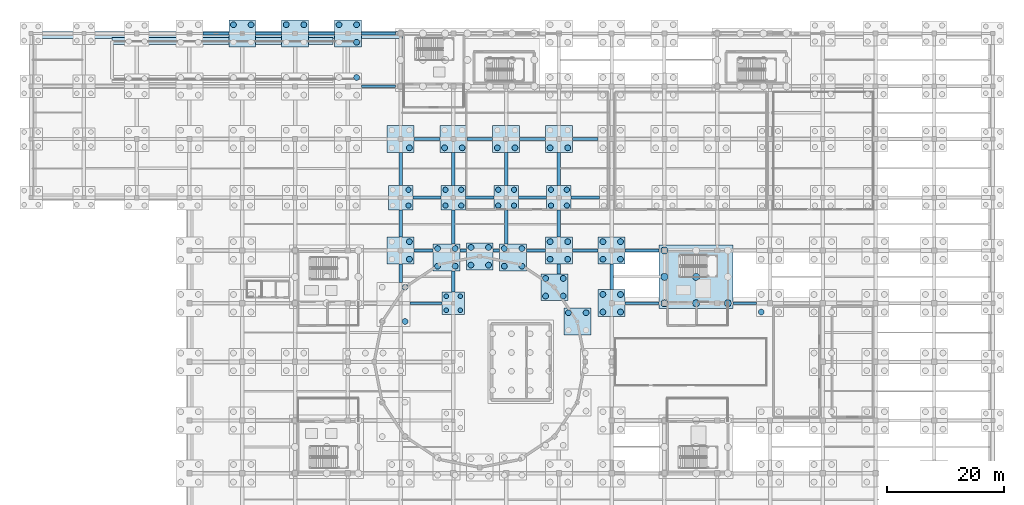
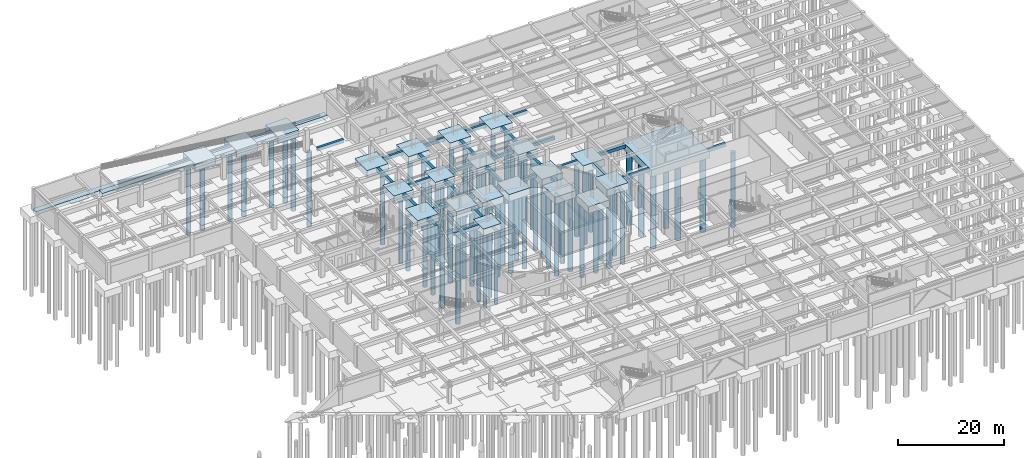
# One storey, part 7 of 62: 74 piles, 58 footings.
"""IFC4 building model written with IfcOpenShell, lengths in metres."""

import ifcopenshell
import ifcopenshell.guid

model = None  # the IFC model being written
_history = None  # IfcOwnerHistory: only IFC2X3 demands one
_inside = {}  # id of a spatial element -> (the spatial element, [elements in it])
_under = {}  # id of a project, library or spatial element -> (it, [spatial elements below it])
_declared = {}  # id of a project -> (the project, [libraries it declares])
_typed = {}  # id of a type object -> (the type object, [elements of that type])
_made_of = {}  # id of a material, layer set ... -> (it, [elements and type objects made of it])


def new_model(schema):
    """Start an empty IFC model of exactly this schema.

    Asked for "IFC4X3", IfcOpenShell would pick the latest addendum, in which some entities
    have other attributes; the version numbers below select the first issue.
    IFC2X3 requires an IfcOwnerHistory on every rooted entity: one is made here for all.
    """
    global model, _history
    if schema == "IFC4X3":
        model = ifcopenshell.file(schema_version=(4, 3, 0, 0))
    else:
        model = ifcopenshell.file(schema=schema)
    _inside.clear()
    _under.clear()
    _declared.clear()
    _typed.clear()
    _made_of.clear()
    _history = None
    if model.schema == "IFC2X3":
        org = make("IfcOrganization", Name="unknown")
        user = make(
            "IfcPersonAndOrganization",
            ThePerson=make("IfcPerson", FamilyName="unknown"),
            TheOrganization=org,
        )
        app = make(
            "IfcApplication",
            ApplicationDeveloper=org,
            Version="unknown",
            ApplicationFullName="unknown",
            ApplicationIdentifier="unknown",
        )
        _history = make(
            "IfcOwnerHistory",
            OwningUser=user,
            OwningApplication=app,
            ChangeAction="ADDED",
            CreationDate=0,
        )
    return model


def make(cls, **values):
    """One entity of the class cls with the attributes given. An attribute that is None is left unset."""
    return model.create_entity(
        cls, **{name: value for name, value in values.items() if value is not None}
    )


def rooted(cls, **values):
    """An entity with a GlobalId (a new one), such as an element, a storey or a relation."""
    return make(cls, GlobalId=ifcopenshell.guid.new(), OwnerHistory=_history, **values)


def si_unit(unit_type, name, prefix=None):
    """IfcSIUnit, for example si_unit("LENGTHUNIT", "METRE", prefix="MILLI")."""
    return make("IfcSIUnit", UnitType=unit_type, Prefix=prefix, Name=name)


def assignment(units):
    """IfcUnitAssignment: the units of a project."""
    return None if units is None else make("IfcUnitAssignment", Units=units)


def point(xyz):
    """IfcCartesianPoint."""
    return None if xyz is None else make("IfcCartesianPoint", Coordinates=xyz)


def direction(xyz):
    """IfcDirection."""
    return None if xyz is None else make("IfcDirection", DirectionRatios=xyz)


def frame(location, z_axis=None, x_axis=None):
    """IfcAxis2Placement3D, a coordinate frame: its origin and axes. An axis left out is left unset."""
    return make(
        "IfcAxis2Placement3D",
        Location=point(location),
        Axis=direction(z_axis),
        RefDirection=direction(x_axis),
    )


def frame_2d(location, x_axis=None):
    """IfcAxis2Placement2D, a coordinate frame in the plane: its origin and x axis."""
    return make(
        "IfcAxis2Placement2D", Location=point(location), RefDirection=direction(x_axis)
    )


def origin():
    """The frame at (0, 0, 0) with its axes left unset."""
    return frame((0.0, 0.0, 0.0))


def origin_2d():
    """The frame at (0, 0) in the plane with its x axis left unset."""
    return frame_2d((0.0, 0.0))


def place(relative_to, where):
    """IfcLocalPlacement: puts the frame where relative to a parent placement (None: the world)."""
    return make(
        "IfcLocalPlacement", PlacementRelTo=relative_to, RelativePlacement=where
    )


def context(
    kind, dimensions, precision=None, world=None, true_north=None, identifier=None
):
    """IfcGeometricRepresentationContext, for example the 3D "Model" context."""
    return make(
        "IfcGeometricRepresentationContext",
        ContextIdentifier=identifier,
        ContextType=kind,
        CoordinateSpaceDimension=dimensions,
        Precision=precision,
        WorldCoordinateSystem=world,
        TrueNorth=true_north,
    )


def subcontext(parent, identifier, kind, view, scale=None):
    """IfcGeometricRepresentationSubContext, for example "Body" below "Model"."""
    return make(
        "IfcGeometricRepresentationSubContext",
        ContextIdentifier=identifier,
        ContextType=kind,
        ParentContext=parent,
        TargetScale=scale,
        TargetView=view,
    )


def project(units=None, contexts=None):
    """IfcProject with its units and contexts."""
    return rooted(
        "IfcProject",
        Name="project",
        RepresentationContexts=contexts,
        UnitsInContext=assignment(units),
    )


def spatial(cls, under=None, at=None, **own):
    """A site, building, storey or space (cls), placed at a placement, below another one or the project."""
    s = rooted(cls, ObjectPlacement=at, **own)
    if under is not None:
        _under.setdefault(under.id(), (under, []))[1].append(s)
    return s


def polyline(points):
    """IfcPolyline through the points."""
    return make("IfcPolyline", Points=[point(p) for p in points])


def profile(cls, at=None, kind="AREA", **sizes):
    """A parametric profile (cls). Its sizes go by their IFC names, for example OverallWidth=200.0."""
    return make(cls, ProfileType=kind, Position=at, **sizes)


def rectangle(**sizes):
    """IfcRectangleProfileDef."""
    return profile("IfcRectangleProfileDef", **sizes)


def circle(**sizes):
    """IfcCircleProfileDef."""
    return profile("IfcCircleProfileDef", **sizes)


def outline(outer, holes=None, kind="AREA"):
    """IfcArbitraryClosedProfileDef: a profile drawn as a closed curve; with holes, ...WithVoids."""
    if holes is None:
        return make("IfcArbitraryClosedProfileDef", ProfileType=kind, OuterCurve=outer)
    return make(
        "IfcArbitraryProfileDefWithVoids",
        ProfileType=kind,
        OuterCurve=outer,
        InnerCurves=holes,
    )


def extrude(swept, where, along, depth):
    """IfcExtrudedAreaSolid: the profile swept, set in the frame where, extruded along a direction by depth."""
    return make(
        "IfcExtrudedAreaSolid",
        SweptArea=swept,
        Position=where,
        ExtrudedDirection=direction(along),
        Depth=depth,
    )


def shape(context_of_items, identifier, shape_type, items):
    """IfcShapeRepresentation: the items that make up one representation, for example the "Body"."""
    return make(
        "IfcShapeRepresentation",
        ContextOfItems=context_of_items,
        RepresentationIdentifier=identifier,
        RepresentationType=shape_type,
        Items=items,
    )


def material(Name=None, Category=None):
    """IfcMaterial."""
    return make("IfcMaterial", Name=Name, Category=Category)


def material_profile(
    of_material, cross_section, Name=None, Category=None, Priority=None
):
    """IfcMaterialProfile: a cross section and its material."""
    return make(
        "IfcMaterialProfile",
        Name=Name,
        Material=of_material,
        Profile=cross_section,
        Priority=Priority,
        Category=Category,
    )


def profile_set(profiles, Name=None, composite=None):
    """IfcMaterialProfileSet."""
    return make(
        "IfcMaterialProfileSet",
        Name=Name,
        MaterialProfiles=profiles,
        CompositeProfile=composite,
    )


def made_of(thing, what):
    """Note that an element or type object is made of a material, layer set ...; save() writes the relation."""
    if what is not None:
        _made_of.setdefault(what.id(), (what, []))[1].append(thing)
    return thing


def type_object(cls, material=None, **own):
    """A type object (cls), such as IfcWallType, which elements share."""
    return made_of(rooted(cls, **own), material)


def element(
    cls,
    number,
    at=None,
    inside=None,
    cuts=None,
    type_object=None,
    material=None,
    context=None,
    identifier="Body",
    shape_type=None,
    held_by="IfcProductDefinitionShape",
    body=None,
    shapes=None,
    **own,
):
    """One element of the class cls, such as IfcWall. Its Tag is "e" and its number.

    at: its placement. inside: the storey or other place that contains it. cuts: it is an
    opening in that element (IfcRelVoidsElement). A single representation is given by context,
    identifier, shape_type and body (its items); several are given by shapes. held_by: the class
    of the entity that holds the representations. save() writes the other relations.
    """
    e = rooted(cls, Tag="e%d" % number, ObjectPlacement=at, **own)
    if body is not None:
        shapes = [shape(context, identifier, shape_type, body)]
    if shapes is not None:
        e.Representation = make(held_by, Representations=shapes)
    if inside is not None:
        _inside.setdefault(inside.id(), (inside, []))[1].append(e)
    if cuts is not None:
        rooted(
            "IfcRelVoidsElement", RelatingBuildingElement=cuts, RelatedOpeningElement=e
        )
    if type_object is not None:
        _typed.setdefault(type_object.id(), (type_object, []))[1].append(e)
    return made_of(e, material)


def aggregate(whole, parts):
    """IfcRelAggregates: a whole, such as a stair, and the parts it consists of."""
    return rooted("IfcRelAggregates", RelatingObject=whole, RelatedObjects=parts)


def save(model, path):
    """Write the relations noted so far, then the file.

    IfcRelAggregates (storeys below a building ...), IfcRelContainedInSpatialStructure (elements
    in a storey), IfcRelDefinesByType, IfcRelAssociatesMaterial and IfcRelDeclares: one each for
    every whole, place, type object, material and project.
    """
    for whole, parts in _under.values():
        aggregate(whole, parts)
    for where, things in _inside.values():
        rooted(
            "IfcRelContainedInSpatialStructure",
            RelatedElements=things,
            RelatingStructure=where,
        )
    for kind, things in _typed.values():
        rooted("IfcRelDefinesByType", RelatedObjects=things, RelatingType=kind)
    for what, things in _made_of.values():
        rooted("IfcRelAssociatesMaterial", RelatedObjects=things, RelatingMaterial=what)
    for by, libraries in _declared.values():
        rooted("IfcRelDeclares", RelatingContext=by, RelatedDefinitions=libraries)
    model.write(path)


model = new_model("IFC4")

# Units and contexts
model_context = context("Model", 3, precision=1e-05, world=origin(), true_north=direction((0.0, 1.0)))
body_context = subcontext(model_context, "Body", "Model", "MODEL_VIEW")
ifc_project = project(units=[si_unit("LENGTHUNIT", "METRE"), si_unit("AREAUNIT", "SQUARE_METRE"), si_unit("VOLUMEUNIT", "CUBIC_METRE"), si_unit("PLANEANGLEUNIT", "RADIAN"), si_unit("MASSUNIT", "GRAM", prefix="KILO")], contexts=[model_context])

# Site, building, storey
site_placement = place(None, origin())
site = spatial("IfcSite", under=ifc_project, at=site_placement, CompositionType="ELEMENT")
building_placement = place(site_placement, origin())
building = spatial("IfcBuilding", under=site, at=building_placement, Name="Miravela Opera House", CompositionType="ELEMENT")
storey_placement = place(building_placement, frame((0.0, 0.0, -5.10009765625)))
storey = spatial("IfcBuildingStorey", under=building, at=storey_placement, Name="B01", CompositionType="ELEMENT", Elevation=-5.10009765625)

# Footings
ifc_material = material(Name="Concrete C35/45", Category="concrete")
footing_type_1 = type_object("IfcFootingType", Name="STR-GB-500X750", PredefinedType="FOOTING_BEAM", material=ifc_material)
footing_1_placement = place(storey_placement, frame((0.0, 0.0, -0.75)))
element("IfcFooting", 1, at=footing_1_placement, inside=storey, type_object=footing_type_1, Name="Seismic Grade Tie Beam GB-X-280", PredefinedType="FOOTING_BEAM", context=body_context, shape_type="SweptSolid", body=[
    extrude(outline(polyline([(64.62109375, 65.75), (70.10009765625, 65.75), (70.10009765625, 66.25), (64.62109375, 66.25), (64.62109375, 65.75)])), origin(), (0.0, 0.0, 1.0), 0.75),
])
footing_2_placement = place(storey_placement, frame((0.0, 0.0, -0.75)))
element("IfcFooting", 2, at=footing_2_placement, inside=storey, type_object=footing_type_1, Name="Seismic Grade Tie Beam GB-X-281", PredefinedType="FOOTING_BEAM", context=body_context, shape_type="SweptSolid", body=[
    extrude(outline(polyline([(101.300048828125, 65.75), (107.10009765625, 65.75), (107.10009765625, 66.25), (101.300048828125, 66.25), (101.300048828125, 65.75)])), origin(), (0.0, 0.0, 1.0), 0.75),
])
footing_3_placement = place(storey_placement, frame((0.0, 0.0, -0.75)))
element("IfcFooting", 3, at=footing_3_placement, inside=storey, type_object=footing_type_1, Name="Seismic Grade Tie Beam GB-X-282", PredefinedType="FOOTING_BEAM", context=body_context, shape_type="SweptSolid", body=[
    extrude(outline(polyline([(119.699951171875, 65.75), (123.699951171875, 65.75), (123.699951171875, 66.25), (119.699951171875, 66.25), (119.699951171875, 65.75)])), origin(), (0.0, 0.0, 1.0), 0.75),
])
footing_4_placement = place(storey_placement, frame((0.0, 0.0, -0.75)))
element("IfcFooting", 4, at=footing_4_placement, inside=storey, type_object=footing_type_1, Name="Seismic Grade Tie Beam GB-X-290", PredefinedType="FOOTING_BEAM", context=body_context, shape_type="SweptSolid", body=[
    extrude(outline(polyline([(65.300048828125, 74.75), (68.505859375, 74.75), (68.505859375, 75.25), (65.300048828125, 75.25), (65.300048828125, 74.75)])), origin(), (0.0, 0.0, 1.0), 0.75),
])
footing_5_placement = place(storey_placement, frame((0.0, 0.0, -0.75)))
element("IfcFooting", 5, at=footing_5_placement, inside=storey, type_object=footing_type_1, Name="Seismic Grade Tie Beam GB-X-291", PredefinedType="FOOTING_BEAM", context=body_context, shape_type="SweptSolid", body=[
    extrude(outline(polyline([(73.105712890625, 74.75), (74.199951171875, 74.75), (74.199951171875, 75.25), (73.105712890625, 75.25), (73.105712890625, 74.75)])), origin(), (0.0, 0.0, 1.0), 0.75),
])
footing_6_placement = place(storey_placement, frame((0.0, 0.0, -0.75)))
element("IfcFooting", 6, at=footing_6_placement, inside=storey, type_object=footing_type_1, Name="Seismic Grade Tie Beam GB-X-292", PredefinedType="FOOTING_BEAM", context=body_context, shape_type="SweptSolid", body=[
    extrude(outline(polyline([(78.800048828125, 74.75), (79.894287109375, 74.75), (79.894287109375, 75.25), (78.800048828125, 75.25), (78.800048828125, 74.75)])), origin(), (0.0, 0.0, 1.0), 0.75),
])
footing_7_placement = place(storey_placement, frame((0.0, 0.0, -0.75)))
element("IfcFooting", 7, at=footing_7_placement, inside=storey, type_object=footing_type_1, Name="Seismic Grade Tie Beam GB-X-293", PredefinedType="FOOTING_BEAM", context=body_context, shape_type="SweptSolid", body=[
    extrude(outline(polyline([(84.494140625, 74.75), (87.699951171875, 74.75), (87.699951171875, 75.25), (84.494140625, 75.25), (84.494140625, 74.75)])), origin(), (0.0, 0.0, 1.0), 0.75),
])
footing_8_placement = place(storey_placement, frame((0.0, 0.0, -0.75)))
element("IfcFooting", 8, at=footing_8_placement, inside=storey, type_object=footing_type_1, Name="Seismic Grade Tie Beam GB-X-294", PredefinedType="FOOTING_BEAM", context=body_context, shape_type="SweptSolid", body=[
    extrude(outline(polyline([(92.300048828125, 74.75), (96.699951171875, 74.75), (96.699951171875, 75.25), (92.300048828125, 75.25), (92.300048828125, 74.75)])), origin(), (0.0, 0.0, 1.0), 0.75),
])
footing_9_placement = place(storey_placement, frame((0.0, 0.0, -0.75)))
element("IfcFooting", 9, at=footing_9_placement, inside=storey, type_object=footing_type_1, Name="Seismic Grade Tie Beam GB-X-295", PredefinedType="FOOTING_BEAM", context=body_context, shape_type="SweptSolid", body=[
    extrude(outline(polyline([(101.300048828125, 74.75), (107.10009765625, 74.75), (107.10009765625, 75.25), (101.300048828125, 75.25), (101.300048828125, 74.75)])), origin(), (0.0, 0.0, 1.0), 0.75),
])
footing_10_placement = place(storey_placement, frame((0.0, 0.0, -0.75)))
element("IfcFooting", 10, at=footing_10_placement, inside=storey, type_object=footing_type_1, Name="Seismic Grade Tie Beam GB-X-308", PredefinedType="FOOTING_BEAM", context=body_context, shape_type="SweptSolid", body=[
    extrude(outline(polyline([(65.10009765625, 83.75), (69.89990234375, 83.75), (69.89990234375, 84.25), (65.10009765625, 84.25), (65.10009765625, 83.75)])), origin(), (0.0, 0.0, 1.0), 0.75),
])
footing_11_placement = place(storey_placement, frame((0.0, 0.0, -0.75)))
element("IfcFooting", 11, at=footing_11_placement, inside=storey, type_object=footing_type_1, Name="Seismic Grade Tie Beam GB-X-309", PredefinedType="FOOTING_BEAM", context=body_context, shape_type="SweptSolid", body=[
    extrude(outline(polyline([(74.10009765625, 83.75), (78.89990234375, 83.75), (78.89990234375, 84.25), (74.10009765625, 84.25), (74.10009765625, 83.75)])), origin(), (0.0, 0.0, 1.0), 0.75),
])
footing_12_placement = place(storey_placement, frame((0.0, 0.0, -0.75)))
element("IfcFooting", 12, at=footing_12_placement, inside=storey, type_object=footing_type_1, Name="Seismic Grade Tie Beam GB-X-310", PredefinedType="FOOTING_BEAM", context=body_context, shape_type="SweptSolid", body=[
    extrude(outline(polyline([(83.10009765625, 83.75), (87.89990234375, 83.75), (87.89990234375, 84.25), (83.10009765625, 84.25), (83.10009765625, 83.75)])), origin(), (0.0, 0.0, 1.0), 0.75),
])
footing_13_placement = place(storey_placement, frame((0.0, 0.0, -0.75)))
element("IfcFooting", 13, at=footing_13_placement, inside=storey, type_object=footing_type_1, Name="Seismic Grade Tie Beam GB-X-311", PredefinedType="FOOTING_BEAM", context=body_context, shape_type="SweptSolid", body=[
    extrude(outline(polyline([(92.10009765625, 83.75), (96.89990234375, 83.75), (96.89990234375, 84.25), (92.10009765625, 84.25), (92.10009765625, 83.75)])), origin(), (0.0, 0.0, 1.0), 0.75),
])
footing_14_placement = place(storey_placement, frame((0.0, 0.0, -0.75)))
element("IfcFooting", 14, at=footing_14_placement, inside=storey, type_object=footing_type_1, Name="Seismic Grade Tie Beam GB-X-326", PredefinedType="FOOTING_BEAM", context=body_context, shape_type="SweptSolid", body=[
    extrude(outline(polyline([(65.300048828125, 93.75), (69.699951171875, 93.75), (69.699951171875, 94.25), (65.300048828125, 94.25), (65.300048828125, 93.75)])), origin(), (0.0, 0.0, 1.0), 0.75),
])
footing_15_placement = place(storey_placement, frame((0.0, 0.0, -0.75)))
element("IfcFooting", 15, at=footing_15_placement, inside=storey, type_object=footing_type_1, Name="Seismic Grade Tie Beam GB-X-327", PredefinedType="FOOTING_BEAM", context=body_context, shape_type="SweptSolid", body=[
    extrude(outline(polyline([(74.300048828125, 93.75), (78.699951171875, 93.75), (78.699951171875, 94.25), (74.300048828125, 94.25), (74.300048828125, 93.75)])), origin(), (0.0, 0.0, 1.0), 0.75),
])
footing_16_placement = place(storey_placement, frame((0.0, 0.0, -0.75)))
element("IfcFooting", 16, at=footing_16_placement, inside=storey, type_object=footing_type_1, Name="Seismic Grade Tie Beam GB-X-328", PredefinedType="FOOTING_BEAM", context=body_context, shape_type="SweptSolid", body=[
    extrude(outline(polyline([(83.300048828125, 93.75), (87.699951171875, 93.75), (87.699951171875, 94.25), (83.300048828125, 94.25), (83.300048828125, 93.75)])), origin(), (0.0, 0.0, 1.0), 0.75),
])
footing_17_placement = place(storey_placement, frame((0.0, 0.0, -0.75)))
element("IfcFooting", 17, at=footing_17_placement, inside=storey, type_object=footing_type_1, Name="Seismic Grade Tie Beam GB-X-329", PredefinedType="FOOTING_BEAM", context=body_context, shape_type="SweptSolid", body=[
    extrude(outline(polyline([(92.300048828125, 93.75), (96.699951171875, 93.75), (96.699951171875, 94.25), (92.300048828125, 94.25), (92.300048828125, 93.75)])), origin(), (0.0, 0.0, 1.0), 0.75),
])
footing_18_placement = place(storey_placement, frame((0.0, 0.0, -0.75)))
element("IfcFooting", 18, at=footing_18_placement, inside=storey, type_object=footing_type_1, Name="Seismic Grade Tie Beam GB-X-343", PredefinedType="FOOTING_BEAM", context=body_context, shape_type="SweptSolid", body=[
    extrude(outline(polyline([(56.300048828125, 102.75), (62.10009765625, 102.75), (62.10009765625, 103.25), (56.300048828125, 103.25), (56.300048828125, 102.75)])), origin(), (0.0, 0.0, 1.0), 0.75),
])
footing_19_placement = place(storey_placement, frame((0.0, 0.0, -0.75)))
element("IfcFooting", 19, at=footing_19_placement, inside=storey, type_object=footing_type_1, Name="Seismic Grade Tie Beam GB-X-355", PredefinedType="FOOTING_BEAM", context=body_context, shape_type="SweptSolid", body=[
    extrude(outline(polyline([(29.300048828125, 111.75), (33.699951171875, 111.75), (33.699951171875, 112.25), (29.300048828125, 112.25), (29.300048828125, 111.75)])), origin(), (0.0, 0.0, 1.0), 0.75),
])
footing_20_placement = place(storey_placement, frame((0.0, 0.0, -0.75)))
element("IfcFooting", 20, at=footing_20_placement, inside=storey, type_object=footing_type_1, Name="Seismic Grade Tie Beam GB-X-356", PredefinedType="FOOTING_BEAM", context=body_context, shape_type="SweptSolid", body=[
    extrude(outline(polyline([(38.300048828125, 111.75), (42.699951171875, 111.75), (42.699951171875, 112.25), (38.300048828125, 112.25), (38.300048828125, 111.75)])), origin(), (0.0, 0.0, 1.0), 0.75),
])
footing_21_placement = place(storey_placement, frame((0.0, 0.0, -0.75)))
element("IfcFooting", 21, at=footing_21_placement, inside=storey, type_object=footing_type_1, Name="Seismic Grade Tie Beam GB-X-357", PredefinedType="FOOTING_BEAM", context=body_context, shape_type="SweptSolid", body=[
    extrude(outline(polyline([(47.300048828125, 111.75), (51.699951171875, 111.75), (51.699951171875, 112.25), (47.300048828125, 112.25), (47.300048828125, 111.75)])), origin(), (0.0, 0.0, 1.0), 0.75),
])
footing_22_placement = place(storey_placement, frame((0.0, 0.0, -0.75)))
element("IfcFooting", 22, at=footing_22_placement, inside=storey, type_object=footing_type_1, Name="Seismic Grade Tie Beam GB-X-358", PredefinedType="FOOTING_BEAM", context=body_context, shape_type="SweptSolid", body=[
    extrude(outline(polyline([(56.300048828125, 111.75), (62.10009765625, 111.75), (62.10009765625, 112.25), (56.300048828125, 112.25), (56.300048828125, 111.75)])), origin(), (0.0, 0.0, 1.0), 0.75),
])
footing_type_2 = type_object("IfcFootingType", Name="STR-GB-600X800", PredefinedType="FOOTING_BEAM", material=ifc_material)
footing_23_placement = place(storey_placement, frame((0.0, 0.0, -0.7998046875)))
element("IfcFooting", 23, at=footing_23_placement, inside=storey, type_object=footing_type_2, Name="Seismic Grade Tie Beam GB-Y-067", PredefinedType="FOOTING_BEAM", context=body_context, shape_type="SweptSolid", body=[
    extrude(outline(polyline([(62.699951171875, 69.55810546875), (63.300048828125, 69.55810546875), (63.300048828125, 72.699951171875), (62.699951171875, 72.699951171875), (62.699951171875, 69.55810546875)])), origin(), (0.0, 0.0, 1.0), 0.7998046875),
])
footing_24_placement = place(storey_placement, frame((0.0, 0.0, -0.7998046875)))
element("IfcFooting", 24, at=footing_24_placement, inside=storey, type_object=footing_type_2, Name="Seismic Grade Tie Beam GB-Y-068", PredefinedType="FOOTING_BEAM", context=body_context, shape_type="SweptSolid", body=[
    extrude(outline(polyline([(62.699951171875, 77.300048828125), (63.300048828125, 77.300048828125), (63.300048828125, 81.89990234375), (62.699951171875, 81.89990234375), (62.699951171875, 77.300048828125)])), origin(), (0.0, 0.0, 1.0), 0.7998046875),
])
footing_25_placement = place(storey_placement, frame((0.0, 0.0, -0.7998046875)))
element("IfcFooting", 25, at=footing_25_placement, inside=storey, type_object=footing_type_2, Name="Seismic Grade Tie Beam GB-Y-069", PredefinedType="FOOTING_BEAM", context=body_context, shape_type="SweptSolid", body=[
    extrude(outline(polyline([(62.699951171875, 86.10009765625), (63.300048828125, 86.10009765625), (63.300048828125, 91.699951171875), (62.699951171875, 91.699951171875), (62.699951171875, 86.10009765625)])), origin(), (0.0, 0.0, 1.0), 0.7998046875),
])
footing_26_placement = place(storey_placement, frame((0.0, 0.0, -0.7998046875)))
element("IfcFooting", 26, at=footing_26_placement, inside=storey, type_object=footing_type_2, Name="Seismic Grade Tie Beam GB-Y-077", PredefinedType="FOOTING_BEAM", context=body_context, shape_type="SweptSolid", body=[
    extrude(outline(polyline([(71.699951171875, 67.89990234375), (72.300048828125, 67.89990234375), (72.300048828125, 71.514892578125), (71.699951171875, 71.514892578125), (71.699951171875, 67.89990234375)])), origin(), (0.0, 0.0, 1.0), 0.7998046875),
])
footing_27_placement = place(storey_placement, frame((0.0, 0.0, -0.7998046875)))
element("IfcFooting", 27, at=footing_27_placement, inside=storey, type_object=footing_type_2, Name="Seismic Grade Tie Beam GB-Y-078", PredefinedType="FOOTING_BEAM", context=body_context, shape_type="SweptSolid", body=[
    extrude(outline(polyline([(71.699951171875, 76.114990234375), (72.300048828125, 76.114990234375), (72.300048828125, 81.89990234375), (71.699951171875, 81.89990234375), (71.699951171875, 76.114990234375)])), origin(), (0.0, 0.0, 1.0), 0.7998046875),
])
footing_28_placement = place(storey_placement, frame((0.0, 0.0, -0.7998046875)))
element("IfcFooting", 28, at=footing_28_placement, inside=storey, type_object=footing_type_2, Name="Seismic Grade Tie Beam GB-Y-079", PredefinedType="FOOTING_BEAM", context=body_context, shape_type="SweptSolid", body=[
    extrude(outline(polyline([(71.699951171875, 86.10009765625), (72.300048828125, 86.10009765625), (72.300048828125, 91.699951171875), (71.699951171875, 91.699951171875), (71.699951171875, 86.10009765625)])), origin(), (0.0, 0.0, 1.0), 0.7998046875),
])
footing_29_placement = place(storey_placement, frame((0.0, 0.0, -0.7998046875)))
element("IfcFooting", 29, at=footing_29_placement, inside=storey, type_object=footing_type_2, Name="Seismic Grade Tie Beam GB-Y-085", PredefinedType="FOOTING_BEAM", context=body_context, shape_type="SweptSolid", body=[
    extrude(outline(polyline([(80.699951171875, 76.114990234375), (81.300048828125, 76.114990234375), (81.300048828125, 81.89990234375), (80.699951171875, 81.89990234375), (80.699951171875, 76.114990234375)])), origin(), (0.0, 0.0, 1.0), 0.7998046875),
])
footing_30_placement = place(storey_placement, frame((0.0, 0.0, -0.7998046875)))
element("IfcFooting", 30, at=footing_30_placement, inside=storey, type_object=footing_type_2, Name="Seismic Grade Tie Beam GB-Y-086", PredefinedType="FOOTING_BEAM", context=body_context, shape_type="SweptSolid", body=[
    extrude(outline(polyline([(80.699951171875, 86.10009765625), (81.300048828125, 86.10009765625), (81.300048828125, 91.699951171875), (80.699951171875, 91.699951171875), (80.699951171875, 86.10009765625)])), origin(), (0.0, 0.0, 1.0), 0.7998046875),
])
footing_31_placement = place(storey_placement, frame((0.0, 0.0, -0.7998046875)))
element("IfcFooting", 31, at=footing_31_placement, inside=storey, type_object=footing_type_2, Name="Seismic Grade Tie Beam GB-Y-093", PredefinedType="FOOTING_BEAM", context=body_context, shape_type="SweptSolid", body=[
    extrude(outline(polyline([(89.699951171875, 71.02783203125), (90.300048828125, 71.02783203125), (90.300048828125, 72.699951171875), (89.699951171875, 72.699951171875), (89.699951171875, 71.02783203125)])), origin(), (0.0, 0.0, 1.0), 0.7998046875),
])
footing_32_placement = place(storey_placement, frame((0.0, 0.0, -0.7998046875)))
element("IfcFooting", 32, at=footing_32_placement, inside=storey, type_object=footing_type_2, Name="Seismic Grade Tie Beam GB-Y-094", PredefinedType="FOOTING_BEAM", context=body_context, shape_type="SweptSolid", body=[
    extrude(outline(polyline([(89.699951171875, 77.300048828125), (90.300048828125, 77.300048828125), (90.300048828125, 81.89990234375), (89.699951171875, 81.89990234375), (89.699951171875, 77.300048828125)])), origin(), (0.0, 0.0, 1.0), 0.7998046875),
])
footing_33_placement = place(storey_placement, frame((0.0, 0.0, -0.7998046875)))
element("IfcFooting", 33, at=footing_33_placement, inside=storey, type_object=footing_type_2, Name="Seismic Grade Tie Beam GB-Y-095", PredefinedType="FOOTING_BEAM", context=body_context, shape_type="SweptSolid", body=[
    extrude(outline(polyline([(89.699951171875, 86.10009765625), (90.300048828125, 86.10009765625), (90.300048828125, 91.699951171875), (89.699951171875, 91.699951171875), (89.699951171875, 86.10009765625)])), origin(), (0.0, 0.0, 1.0), 0.7998046875),
])
footing_34_placement = place(storey_placement, frame((0.0, 0.0, -0.7998046875)))
element("IfcFooting", 34, at=footing_34_placement, inside=storey, type_object=footing_type_2, Name="Seismic Grade Tie Beam GB-Y-105", PredefinedType="FOOTING_BEAM", context=body_context, shape_type="SweptSolid", body=[
    extrude(outline(polyline([(98.699951171875, 68.300048828125), (99.300048828125, 68.300048828125), (99.300048828125, 72.699951171875), (98.699951171875, 72.699951171875), (98.699951171875, 68.300048828125)])), origin(), (0.0, 0.0, 1.0), 0.7998046875),
])
footing_type_3 = type_object("IfcFootingType", Name="STR-PC-12600X10800X1600", PredefinedType="PILE_CAP", material=ifc_material)
footing_35_placement = place(storey_placement, frame((113.39990234375, 70.5, -1.599853515625), z_axis=(0.0, 0.0, 1.0), x_axis=(1.0, 0.0, 0.0)))
element("IfcFooting", 35, at=footing_35_placement, inside=storey, type_object=footing_type_3, Name="Pile Cap PC-B01-129 (PC-03)", PredefinedType="PILE_CAP", context=body_context, shape_type="SweptSolid", body=[
    extrude(rectangle(XDim=12.60009765625, YDim=10.800048828125, at=origin_2d()), origin(), (0.0, 0.0, 1.0), 1.60009765625),
])
footing_type_4 = type_object("IfcFootingType", Name="STR-PC-3800X3800X1600", PredefinedType="PILE_CAP", material=ifc_material)
footing_36_placement = place(storey_placement, frame((72.0, 66.0, -1.599853515625), z_axis=(0.0, 0.0, 1.0), x_axis=(1.0, 0.0, 0.0)))
element("IfcFooting", 36, at=footing_36_placement, inside=storey, type_object=footing_type_4, Name="Pile Cap PC-B01-082 (PC-01)", PredefinedType="PILE_CAP", context=body_context, shape_type="SweptSolid", body=[
    extrude(rectangle(XDim=3.800048828125, YDim=3.800048828125, at=origin_2d()), origin(), (0.0, 0.0, 1.0), 1.60009765625),
])
footing_type_5 = type_object("IfcFootingType", Name="STR-PC-4200X4200X1600", PredefinedType="PILE_CAP", material=ifc_material)
for number, where, z_axis, x_axis, name in (
    (37, (63.0, 84.0, -1.599853515625), (0.0, 0.0, 1.0), (1.0, 0.0, 0.0), "Pile Cap PC-B01-075 (PC-02)"),
    (38, (72.0, 84.0, -1.599853515625), (0.0, 0.0, 1.0), (1.0, 0.0, 0.0), "Pile Cap PC-B01-084 (PC-02)"),
    (39, (81.0, 84.0, -1.599853515625), (0.0, 0.0, 1.0), (1.0, 0.0, 0.0), "Pile Cap PC-B01-094 (PC-02)"),
    (40, (90.0, 84.0, -1.599853515625), (0.0, 0.0, 1.0), (1.0, 0.0, 0.0), "Pile Cap PC-B01-105 (PC-02)"),
):
    element("IfcFooting", number, at=place(storey_placement, frame(where, z_axis=z_axis, x_axis=x_axis)), inside=storey, type_object=footing_type_5, Name=name, PredefinedType="PILE_CAP", context=body_context, shape_type="SweptSolid", body=[
        extrude(rectangle(XDim=4.199951171875, YDim=4.199951171875, at=origin_2d()), origin(), (0.0, 0.0, 1.0), 1.60009765625),
    ])
footing_type_6 = type_object("IfcFootingType", Name="STR-PC-4600X4600X1600", PredefinedType="PILE_CAP", material=ifc_material)
for number, where, z_axis, x_axis, name in (
    (41, (36.0, 112.0, -1.599853515625), (0.0, 0.0, 1.0), (1.0, 0.0, 0.0), "Pile Cap PC-B01-047 (PC-04)"),
    (42, (45.0, 112.0, -1.599853515625), (0.0, 0.0, 1.0), (1.0, 0.0, 0.0), "Pile Cap PC-B01-058 (PC-04)"),
    (43, (54.0, 112.0, -1.599853515625), (0.0, 0.0, 1.0), (1.0, 0.0, 0.0), "Pile Cap PC-B01-067 (PC-04)"),
    (44, (63.0, 75.0, -1.599853515625), (0.0, 0.0, 1.0), (1.0, 0.0, 0.0), "Pile Cap PC-B01-074 (PC-04)"),
    (45, (63.0, 94.0, -1.599853515625), (0.0, 0.0, 1.0), (1.0, 0.0, 0.0), "Pile Cap PC-B01-076 (PC-04)"),
    (46, (70.805908203125, 73.81494140625, -1.599853515625), (0.0, 0.0, 1.0), (1.0, 0.0, 0.0), "Pile Cap PC-B01-083 (PC-04)"),
    (47, (72.0, 94.0, -1.599853515625), (0.0, 0.0, 1.0), (1.0, 0.0, 0.0), "Pile Cap PC-B01-085 (PC-04)"),
    (48, (76.5, 74.0, -1.599853515625), (0.0, 0.0, 1.0), (1.0, 0.0, 0.0), "Pile Cap PC-B01-087 (PC-04)"),
    (49, (82.194091796875, 73.81494140625, -1.599853515625), (0.0, 0.0, 1.0), (1.0, 0.0, 0.0), "Pile Cap PC-B01-093 (PC-04)"),
    (50, (81.0, 94.0, -1.599853515625), (0.0, 0.0, 1.0), (1.0, 0.0, 0.0), "Pile Cap PC-B01-095 (PC-04)"),
    (51, (89.227783203125, 68.727783203125, -1.599853515625), (0.0, 0.0, 1.0), (1.0, 0.0, 0.0), "Pile Cap PC-B01-098 (PC-04)"),
    (52, (90.0, 75.0, -1.599853515625), (0.0, 0.0, 1.0), (1.0, 0.0, 0.0), "Pile Cap PC-B01-104 (PC-04)"),
    (53, (90.0, 94.0, -1.599853515625), (0.0, 0.0, 1.0), (1.0, 0.0, 0.0), "Pile Cap PC-B01-106 (PC-04)"),
    (54, (93.1298828125, 62.88818359375, -1.599853515625), (0.0, 0.0, 1.0), (1.0, 0.0, 0.0), "Pile Cap PC-B01-110 (PC-04)"),
    (55, (99.0, 66.0, -1.599853515625), (0.0, 0.0, 1.0), (1.0, 0.0, 0.0), "Pile Cap PC-B01-118 (PC-04)"),
    (56, (99.0, 75.0, -1.599853515625), (0.0, 0.0, 1.0), (1.0, 0.0, 0.0), "Pile Cap PC-B01-119 (PC-04)"),
):
    element("IfcFooting", number, at=place(storey_placement, frame(where, z_axis=z_axis, x_axis=x_axis)), inside=storey, type_object=footing_type_6, Name=name, PredefinedType="PILE_CAP", context=body_context, shape_type="SweptSolid", body=[
        extrude(rectangle(XDim=4.60009765625, YDim=4.60009765625, at=origin_2d()), origin(), (0.0, 0.0, 1.0), 1.60009765625),
    ])

# Piles
ifc_material_profile_1 = material_profile(ifc_material, circle(Radius=0.5, at=origin_2d()), Name="PILE-D1000")
ifc_profile_set_1 = profile_set([ifc_material_profile_1])
pile_type_1 = type_object("IfcPileType", Name="STR-PILE-D1000", PredefinedType="BORED", material=ifc_profile_set_1)
for number, where, z_axis, x_axis, name in (
    (57, (34.5, 113.5, -1.449951171875), (0.0, 0.0, -1.0), (1.0, 0.0, 0.0), "Bored Pile P-191"),
    (58, (37.5, 113.5, -1.449951171875), (0.0, 0.0, -1.0), (1.0, 0.0, 0.0), "Bored Pile P-193"),
    (59, (43.5, 113.5, -1.449951171875), (0.0, 0.0, -1.0), (1.0, 0.0, 0.0), "Bored Pile P-245"),
    (60, (46.5, 113.5, -1.449951171875), (0.0, 0.0, -1.0), (1.0, 0.0, 0.0), "Bored Pile P-247"),
    (61, (55.5, 104.5, -1.449951171875), (0.0, 0.0, -1.0), (1.0, 0.0, 0.0), "Bored Pile P-283"),
    (62, (52.5, 113.5, -1.449951171875), (0.0, 0.0, -1.0), (1.0, 0.0, 0.0), "Bored Pile P-285"),
    (63, (55.5, 110.5, -1.449951171875), (0.0, 0.0, -1.0), (1.0, 0.0, 0.0), "Bored Pile P-286"),
    (64, (55.5, 113.5, -1.449951171875), (0.0, 0.0, -1.0), (1.0, 0.0, 0.0), "Bored Pile P-287"),
    (65, (63.772216796875, 62.88818359375, -1.449951171875), (0.0, 0.0, -1.0), (1.0, 0.0, 0.0), "Bored Pile P-315"),
    (66, (63.772216796875, 68.727783203125, -1.449951171875), (0.0, 0.0, -1.0), (1.0, 0.0, 0.0), "Bored Pile P-316"),
    (67, (64.5, 73.5, -1.449951171875), (0.0, 0.0, -1.0), (1.0, 0.0, 0.0), "Bored Pile P-319"),
    (68, (64.5, 76.5, -1.449951171875), (0.0, 0.0, -1.0), (1.0, 0.0, 0.0), "Bored Pile P-320"),
    (69, (64.5, 92.5, -1.449951171875), (0.0, 0.0, -1.0), (1.0, 0.0, 0.0), "Bored Pile P-327"),
    (70, (69.305908203125, 72.31494140625, -1.449951171875), (0.0, 0.0, -1.0), (1.0, 0.0, 0.0), "Bored Pile P-353"),
    (71, (69.305908203125, 75.31494140625, -1.449951171875), (0.0, 0.0, -1.0), (1.0, 0.0, 0.0), "Bored Pile P-354"),
    (72, (72.305908203125, 72.31494140625, -1.449951171875), (0.0, 0.0, -1.0), (1.0, 0.0, 0.0), "Bored Pile P-355"),
    (73, (72.305908203125, 75.31494140625, -1.449951171875), (0.0, 0.0, -1.0), (1.0, 0.0, 0.0), "Bored Pile P-356"),
    (74, (70.5, 92.5, -1.449951171875), (0.0, 0.0, -1.0), (1.0, 0.0, 0.0), "Bored Pile P-361"),
    (75, (73.5, 92.5, -1.449951171875), (0.0, 0.0, -1.0), (1.0, 0.0, 0.0), "Bored Pile P-363"),
    (76, (75.0, 72.5, -1.449951171875), (0.0, 0.0, -1.0), (1.0, 0.0, 0.0), "Bored Pile P-369"),
    (77, (75.0, 75.5, -1.449951171875), (0.0, 0.0, -1.0), (1.0, 0.0, 0.0), "Bored Pile P-370"),
    (78, (78.0, 72.5, -1.449951171875), (0.0, 0.0, -1.0), (1.0, 0.0, 0.0), "Bored Pile P-371"),
    (79, (78.0, 75.5, -1.449951171875), (0.0, 0.0, -1.0), (1.0, 0.0, 0.0), "Bored Pile P-372"),
    (80, (80.694091796875, 72.31494140625, -1.449951171875), (0.0, 0.0, -1.0), (1.0, 0.0, 0.0), "Bored Pile P-393"),
    (81, (80.694091796875, 75.31494140625, -1.449951171875), (0.0, 0.0, -1.0), (1.0, 0.0, 0.0), "Bored Pile P-394"),
    (82, (83.694091796875, 72.31494140625, -1.449951171875), (0.0, 0.0, -1.0), (1.0, 0.0, 0.0), "Bored Pile P-395"),
    (83, (83.694091796875, 75.31494140625, -1.449951171875), (0.0, 0.0, -1.0), (1.0, 0.0, 0.0), "Bored Pile P-396"),
    (84, (79.5, 92.5, -1.449951171875), (0.0, 0.0, -1.0), (1.0, 0.0, 0.0), "Bored Pile P-401"),
    (85, (82.5, 92.5, -1.449951171875), (0.0, 0.0, -1.0), (1.0, 0.0, 0.0), "Bored Pile P-403"),
    (86, (87.727783203125, 67.227783203125, -1.449951171875), (0.0, 0.0, -1.0), (1.0, 0.0, 0.0), "Bored Pile P-430"),
    (87, (87.727783203125, 70.227783203125, -1.449951171875), (0.0, 0.0, -1.0), (1.0, 0.0, 0.0), "Bored Pile P-431"),
    (88, (90.727783203125, 67.227783203125, -1.449951171875), (0.0, 0.0, -1.0), (1.0, 0.0, 0.0), "Bored Pile P-432"),
    (89, (90.727783203125, 70.227783203125, -1.449951171875), (0.0, 0.0, -1.0), (1.0, 0.0, 0.0), "Bored Pile P-433"),
    (90, (88.5, 73.5, -1.449951171875), (0.0, 0.0, -1.0), (1.0, 0.0, 0.0), "Bored Pile P-454"),
    (91, (88.5, 76.5, -1.449951171875), (0.0, 0.0, -1.0), (1.0, 0.0, 0.0), "Bored Pile P-455"),
    (92, (91.5, 73.5, -1.449951171875), (0.0, 0.0, -1.0), (1.0, 0.0, 0.0), "Bored Pile P-456"),
    (93, (91.5, 76.5, -1.449951171875), (0.0, 0.0, -1.0), (1.0, 0.0, 0.0), "Bored Pile P-457"),
    (94, (88.5, 92.5, -1.449951171875), (0.0, 0.0, -1.0), (1.0, 0.0, 0.0), "Bored Pile P-462"),
    (95, (91.5, 92.5, -1.449951171875), (0.0, 0.0, -1.0), (1.0, 0.0, 0.0), "Bored Pile P-464"),
    (96, (91.6298828125, 64.38818359375, -1.449951171875), (0.0, 0.0, -1.0), (1.0, 0.0, 0.0), "Bored Pile P-479"),
    (97, (94.6298828125, 64.38818359375, -1.449951171875), (0.0, 0.0, -1.0), (1.0, 0.0, 0.0), "Bored Pile P-481"),
    (98, (97.5, 64.5, -1.449951171875), (0.0, 0.0, -1.0), (1.0, 0.0, 0.0), "Bored Pile P-510"),
    (99, (97.5, 67.5, -1.449951171875), (0.0, 0.0, -1.0), (1.0, 0.0, 0.0), "Bored Pile P-511"),
    (100, (100.5, 64.5, -1.449951171875), (0.0, 0.0, -1.0), (1.0, 0.0, 0.0), "Bored Pile P-512"),
    (101, (100.5, 67.5, -1.449951171875), (0.0, 0.0, -1.0), (1.0, 0.0, 0.0), "Bored Pile P-513"),
    (102, (97.5, 73.5, -1.449951171875), (0.0, 0.0, -1.0), (1.0, 0.0, 0.0), "Bored Pile P-514"),
    (103, (97.5, 76.5, -1.449951171875), (0.0, 0.0, -1.0), (1.0, 0.0, 0.0), "Bored Pile P-515"),
    (104, (100.5, 73.5, -1.449951171875), (0.0, 0.0, -1.0), (1.0, 0.0, 0.0), "Bored Pile P-516"),
    (105, (100.5, 76.5, -1.449951171875), (0.0, 0.0, -1.0), (1.0, 0.0, 0.0), "Bored Pile P-517"),
    (106, (124.5, 64.5, -1.449951171875), (0.0, 0.0, -1.0), (1.0, 0.0, 0.0), "Bored Pile P-640"),
):
    element("IfcPile", number, at=place(storey_placement, frame(where, z_axis=z_axis, x_axis=x_axis)), inside=storey, type_object=pile_type_1, Name=name, PredefinedType="BORED", context=body_context, shape_type="SweptSolid", body=[
        extrude(circle(Radius=0.5, at=origin_2d()), origin(), (0.0, 0.0, 1.0), 17.14990234375),
    ])
ifc_material_profile_2 = material_profile(ifc_material, circle(Radius=0.60009765625, at=origin_2d()), Name="PILE-D1200")
ifc_profile_set_2 = profile_set([ifc_material_profile_2])
pile_type_2 = type_object("IfcPileType", Name="STR-PILE-D1200", PredefinedType="BORED", material=ifc_profile_set_2)
for number, where, z_axis, x_axis, name in (
    (107, (108.0, 66.0, -1.449951171875), (0.0, 0.0, -1.0), (1.0, 0.0, 0.0), "Bored Pile P-559"),
    (108, (108.0, 70.5, -1.449951171875), (0.0, 0.0, -1.0), (1.0, 0.0, 0.0), "Bored Pile P-560"),
    (109, (108.0, 75.0, -1.449951171875), (0.0, 0.0, -1.0), (1.0, 0.0, 0.0), "Bored Pile P-561"),
    (110, (113.39990234375, 66.0, -1.449951171875), (0.0, 0.0, -1.0), (1.0, 0.0, 0.0), "Bored Pile P-562"),
    (111, (113.39990234375, 70.5, -1.449951171875), (0.0, 0.0, -1.0), (1.0, 0.0, 0.0), "Bored Pile P-563"),
    (112, (118.800048828125, 66.0, -1.449951171875), (0.0, 0.0, -1.0), (1.0, 0.0, 0.0), "Bored Pile P-565"),
):
    element("IfcPile", number, at=place(storey_placement, frame(where, z_axis=z_axis, x_axis=x_axis)), inside=storey, type_object=pile_type_2, Name=name, PredefinedType="BORED", context=body_context, shape_type="SweptSolid", body=[
        extrude(circle(Radius=0.60009765625, at=origin_2d()), origin(), (0.0, 0.0, 1.0), 17.14990234375),
    ])
ifc_material_profile_3 = material_profile(ifc_material, circle(Radius=0.39990234375, at=origin_2d()), Name="PILE-D800")
ifc_profile_set_3 = profile_set([ifc_material_profile_3])
pile_type_3 = type_object("IfcPileType", Name="STR-PILE-D800", PredefinedType="BORED", material=ifc_profile_set_3)
for number, where, z_axis, x_axis, name in (
    (113, (70.800048828125, 64.800048828125, -1.449951171875), (0.0, 0.0, -1.0), (1.0, 0.0, 0.0), "Bored Pile P-349"),
    (114, (70.800048828125, 67.199951171875, -1.449951171875), (0.0, 0.0, -1.0), (1.0, 0.0, 0.0), "Bored Pile P-350"),
    (115, (73.199951171875, 64.800048828125, -1.449951171875), (0.0, 0.0, -1.0), (1.0, 0.0, 0.0), "Bored Pile P-351"),
    (116, (73.199951171875, 67.199951171875, -1.449951171875), (0.0, 0.0, -1.0), (1.0, 0.0, 0.0), "Bored Pile P-352"),
):
    element("IfcPile", number, at=place(storey_placement, frame(where, z_axis=z_axis, x_axis=x_axis)), inside=storey, type_object=pile_type_3, Name=name, PredefinedType="BORED", context=body_context, shape_type="SweptSolid", body=[
        extrude(circle(Radius=0.39990234375, at=origin_2d()), origin(), (0.0, 0.0, 1.0), 17.14990234375),
    ])
ifc_material_profile_4 = material_profile(ifc_material, circle(Radius=0.449951171875, at=origin_2d()), Name="PILE-D900")
ifc_profile_set_4 = profile_set([ifc_material_profile_4])
pile_type_4 = type_object("IfcPileType", Name="STR-PILE-D900", PredefinedType="BORED", material=ifc_profile_set_4)
for number, where, z_axis, x_axis, name in (
    (117, (64.35009765625, 82.64990234375, -1.449951171875), (0.0, 0.0, -1.0), (1.0, 0.0, 0.0), "Bored Pile P-323"),
    (118, (64.35009765625, 85.35009765625, -1.449951171875), (0.0, 0.0, -1.0), (1.0, 0.0, 0.0), "Bored Pile P-324"),
    (119, (70.64990234375, 82.64990234375, -1.449951171875), (0.0, 0.0, -1.0), (1.0, 0.0, 0.0), "Bored Pile P-357"),
    (120, (70.64990234375, 85.35009765625, -1.449951171875), (0.0, 0.0, -1.0), (1.0, 0.0, 0.0), "Bored Pile P-358"),
    (121, (73.35009765625, 82.64990234375, -1.449951171875), (0.0, 0.0, -1.0), (1.0, 0.0, 0.0), "Bored Pile P-359"),
    (122, (73.35009765625, 85.35009765625, -1.449951171875), (0.0, 0.0, -1.0), (1.0, 0.0, 0.0), "Bored Pile P-360"),
    (123, (79.64990234375, 82.64990234375, -1.449951171875), (0.0, 0.0, -1.0), (1.0, 0.0, 0.0), "Bored Pile P-397"),
    (124, (79.64990234375, 85.35009765625, -1.449951171875), (0.0, 0.0, -1.0), (1.0, 0.0, 0.0), "Bored Pile P-398"),
    (125, (82.35009765625, 82.64990234375, -1.449951171875), (0.0, 0.0, -1.0), (1.0, 0.0, 0.0), "Bored Pile P-399"),
    (126, (82.35009765625, 85.35009765625, -1.449951171875), (0.0, 0.0, -1.0), (1.0, 0.0, 0.0), "Bored Pile P-400"),
    (127, (88.64990234375, 82.64990234375, -1.449951171875), (0.0, 0.0, -1.0), (1.0, 0.0, 0.0), "Bored Pile P-458"),
    (128, (88.64990234375, 85.35009765625, -1.449951171875), (0.0, 0.0, -1.0), (1.0, 0.0, 0.0), "Bored Pile P-459"),
    (129, (91.35009765625, 82.64990234375, -1.449951171875), (0.0, 0.0, -1.0), (1.0, 0.0, 0.0), "Bored Pile P-460"),
    (130, (91.35009765625, 85.35009765625, -1.449951171875), (0.0, 0.0, -1.0), (1.0, 0.0, 0.0), "Bored Pile P-461"),
):
    element("IfcPile", number, at=place(storey_placement, frame(where, z_axis=z_axis, x_axis=x_axis)), inside=storey, type_object=pile_type_4, Name=name, PredefinedType="BORED", context=body_context, shape_type="SweptSolid", body=[
        extrude(circle(Radius=0.449951171875, at=origin_2d()), origin(), (0.0, 0.0, 1.0), 17.14990234375),
    ])

# Footings
footing_type_7 = type_object("IfcFootingType", Name="STR-SF-1200X800", PredefinedType="STRIP_FOOTING", material=ifc_material)
footing_37_placement = place(storey_placement, frame((0.0, 0.0, -0.7998046875)))
element("IfcFooting", 131, at=footing_37_placement, inside=storey, type_object=footing_type_7, Name="Retaining Wall Strip Footing B01-RET-N1W", PredefinedType="STRIP_FOOTING", context=body_context, shape_type="SweptSolid", body=[
    extrude(outline(polyline([(0.0, 111.175048828125), (63.300048828125, 111.175048828125), (63.300048828125, 112.375), (0.0, 112.375), (0.0, 111.175048828125)])), origin(), (0.0, 0.0, 1.0), 0.7998046875),
])
footing_38_placement = place(storey_placement, frame((0.0, 0.0, -0.7998046875)))
element("IfcFooting", 132, at=footing_38_placement, inside=storey, type_object=footing_type_7, Name="Vehicle Ramp Wall Strip Footing N", PredefinedType="STRIP_FOOTING", context=body_context, shape_type="SweptSolid", body=[
    extrude(outline(polyline([(13.800048828125, 110.10009765625), (51.5, 110.10009765625), (51.5, 111.300048828125), (13.800048828125, 111.300048828125), (13.800048828125, 110.10009765625)])), origin(), (0.0, 0.0, 1.0), 0.7998046875),
])

save(model, "model.ifc")
